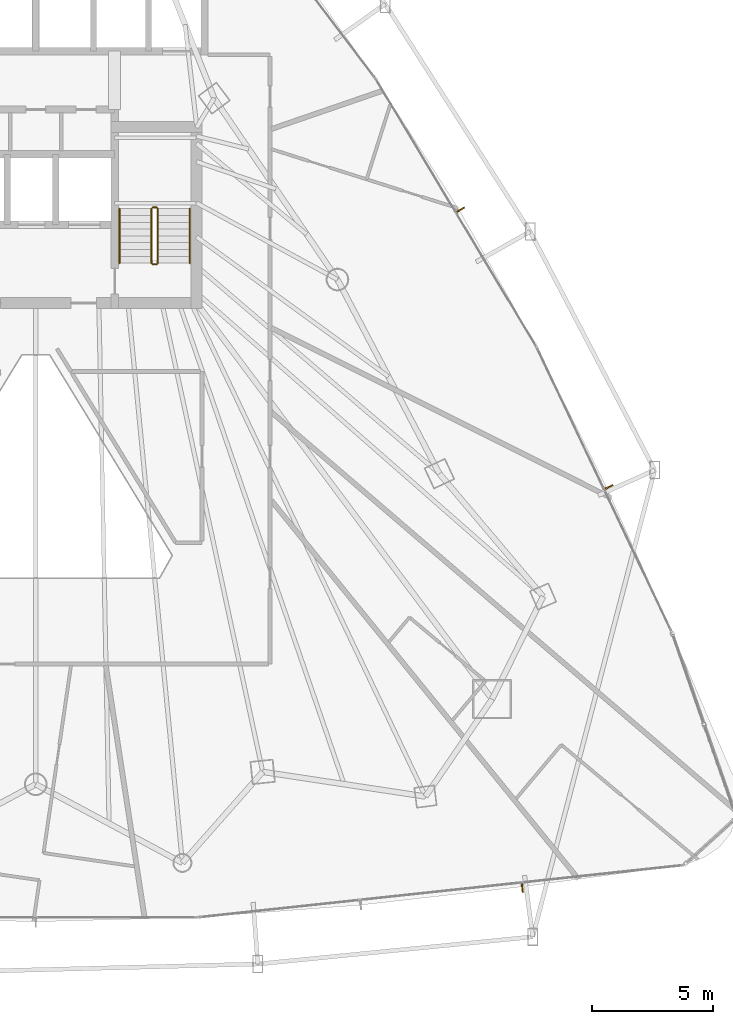
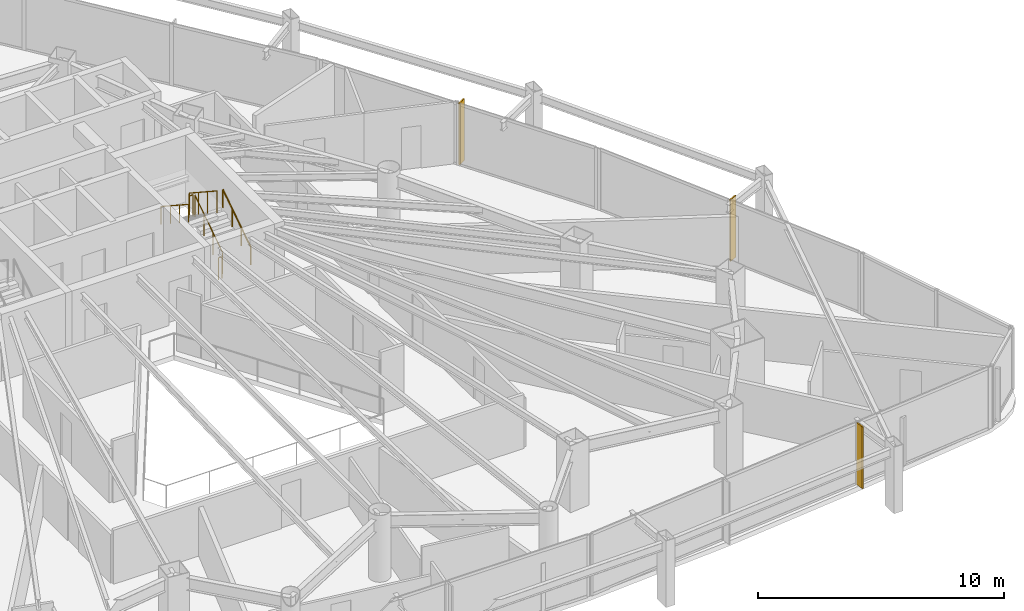
# One storey, part 34 of 35: 6 railings, 3 shading devices.
"""IFC4 building model written with IfcOpenShell, lengths in metres."""

from ifc_helpers import new_model, si_unit, direction, frame, origin, origin_2d, place, context, subcontext, project, spatial, rectangle, circle, extrude, material, layer, layer_set, type_object, element, save


model = new_model("IFC4")

# Units and contexts
model_context = context("Model", 3, precision=1e-05, world=origin(), true_north=direction((0.0, 1.0)))
body_context = subcontext(model_context, "Body", "Model", "MODEL_VIEW")
ifc_project = project(units=[si_unit("LENGTHUNIT", "METRE"), si_unit("AREAUNIT", "SQUARE_METRE"), si_unit("VOLUMEUNIT", "CUBIC_METRE"), si_unit("PLANEANGLEUNIT", "RADIAN"), si_unit("MASSUNIT", "GRAM", prefix="KILO")], contexts=[model_context])

# Site, building, storey
site_placement = place(None, origin())
site = spatial("IfcSite", under=ifc_project, at=site_placement, CompositionType="ELEMENT")
building_placement = place(site_placement, origin())
building = spatial("IfcBuilding", under=site, at=building_placement, Name="Orvanel Arch Residences", CompositionType="ELEMENT")
storey_placement = place(building_placement, frame((0.0, 0.0, 36.800048828125)))
storey = spatial("IfcBuildingStorey", under=building, at=storey_placement, Name="L09", CompositionType="ELEMENT", Elevation=36.800048828125)

# Shading devices
ifc_material_1 = material(Name="Bronze-anodised aluminium AA6063-T6", Category="aluminium")
ifc_layer = layer(ifc_material_1, 0.06005859375)
ifc_layer_set = layer_set([ifc_layer], Name="Bronze-anodised aluminium AA6063-T6")
shading_device_type = type_object("IfcShadingDeviceType", Name="FIN-BRZ-380", PredefinedType="USERDEFINED", material=ifc_layer_set)
for number, where, z_axis, x_axis, name in (
    (1, (53.050048828125, 2.575927734375, 0.0), (0.0, 0.0, 1.0), (0.106264071336, -0.994337944133, 0.0), "L09 Anodised Bronze Mullion FIN 02"),
    (2, (56.616943359375, 19.090087890625, 0.0), (0.0, 0.0, 1.0), (0.903335292863, 0.428935133403, 0.0), "L09 Anodised Bronze Mullion FIN 01"),
    (3, (50.5009765625, 30.514892578125, 0.0), (0.0, 0.0, 1.0), (0.857167300702, 0.51503807491, 0.0), "L09 Anodised Bronze Mullion FIN 01"),
):
    element("IfcShadingDevice", number, at=place(storey_placement, frame(where, z_axis=z_axis, x_axis=x_axis)), inside=storey, type_object=shading_device_type, Name=name, ObjectType="FIN", PredefinedType="USERDEFINED", context=body_context, shape_type="SweptSolid", body=[
        extrude(rectangle(XDim=0.3798828125, YDim=0.06005859375, at=origin_2d()), origin(), (0.0, 0.0, 1.0), 3.06005859375),
    ])

# Railings
ifc_material_2 = material(Name="Structural steel AS/NZS 1163 C350L0 (Grade 350)", Category="steel")
railing_type_1 = type_object("IfcRailingType", Name="RL-STAIR-GUARD", PredefinedType="GUARDRAIL", material=ifc_material_2)
railing_1_placement = place(storey_placement, frame((38.030029296875, 28.320068359375, 0.183349609375)))
element("IfcRailing", 4, at=railing_1_placement, inside=storey, type_object=railing_type_1, Name="L09 ST-2 stair guard 1", PredefinedType="GUARDRAIL", context=body_context, shape_type="SweptSolid", body=[
    extrude(circle(Radius=0.02392578125, at=origin_2d()), frame((0.0, 0.001220703125, 1.076904296875), z_axis=(0.0, 0.836636935527, 0.547757827979), x_axis=(-1.0, 0.0, 0.0)), (0.0, 0.0, 1.0), 2.67431640625),
    extrude(circle(Radius=0.02099609375, at=origin_2d()), origin(), (0.0, 0.0, 1.0), 1.050048828125),
    extrude(circle(Radius=0.02099609375, at=origin_2d()), frame((0.0, 0.74658203125, 0.48876953125)), (0.0, 0.0, 1.0), 1.050048828125),
    extrude(circle(Radius=0.02099609375, at=origin_2d()), frame((0.0, 1.493408203125, 0.977783203125)), (0.0, 0.0, 1.0), 1.050048828125),
    extrude(circle(Radius=0.02099609375, at=origin_2d()), frame((0.0, 2.239990234375, 1.466552734375)), (0.0, 0.0, 1.0), 1.050048828125),
])
railing_2_placement = place(storey_placement, frame((37.97998046875, 30.610107421875, 1.64990234375)))
element("IfcRailing", 5, at=railing_2_placement, inside=storey, type_object=railing_type_1, Name="L09 ST-2 stair guard 2", PredefinedType="GUARDRAIL", context=body_context, shape_type="SweptSolid", body=[
    extrude(circle(Radius=0.02392578125, at=origin_2d()), frame((-0.00146484375, 0.0, 1.076171875), z_axis=(-1.0, 0.0, 0.0), x_axis=(0.0, -1.0, 0.0)), (0.0, 0.0, 1.0), 0.156982421875),
    extrude(circle(Radius=0.02099609375, at=origin_2d()), origin(), (0.0, 0.0, 1.0), 1.050048828125),
    extrude(circle(Radius=0.02099609375, at=origin_2d()), frame((-0.159912109375, 0.0, 0.0)), (0.0, 0.0, 1.0), 1.050048828125),
])
railing_3_placement = place(storey_placement, frame((37.77001953125, 30.56005859375, 1.833251953125)))
element("IfcRailing", 6, at=railing_3_placement, inside=storey, type_object=railing_type_1, Name="L09 ST-2 stair guard 3", PredefinedType="GUARDRAIL", context=body_context, shape_type="SweptSolid", body=[
    extrude(circle(Radius=0.02392578125, at=origin_2d()), frame((0.0, -0.001220703125, 1.076904296875), z_axis=(0.0, -0.836595146698, 0.547821650285), x_axis=(1.0, 0.0, 0.0)), (0.0, 0.0, 1.0), 2.674560546875),
    extrude(circle(Radius=0.02099609375, at=origin_2d()), origin(), (0.0, 0.0, 1.0), 1.050048828125),
    extrude(circle(Radius=0.02099609375, at=origin_2d()), frame((0.0, -0.74658203125, 0.489013671875)), (0.0, 0.0, 1.0), 1.050048828125),
    extrude(circle(Radius=0.02099609375, at=origin_2d()), frame((0.0, -1.493408203125, 0.977783203125)), (0.0, 0.0, 1.0), 1.050048828125),
    extrude(circle(Radius=0.02099609375, at=origin_2d()), frame((0.0, -2.239990234375, 1.466796875)), (0.0, 0.0, 1.0), 1.050048828125),
])
railing_4_placement = place(storey_placement, frame((37.97998046875, 28.27001953125, 0.0)))
element("IfcRailing", 7, at=railing_4_placement, inside=storey, type_object=railing_type_1, Name="L09 ST-2 stair guard 4", PredefinedType="GUARDRAIL", context=body_context, shape_type="SweptSolid", body=[
    extrude(circle(Radius=0.02392578125, at=origin_2d()), frame((-0.00146484375, 0.0, 1.076171875), z_axis=(-1.0, 0.0, 0.0), x_axis=(0.0, -1.0, 0.0)), (0.0, 0.0, 1.0), 0.156982421875),
    extrude(circle(Radius=0.02099609375, at=origin_2d()), origin(), (0.0, 0.0, 1.0), 1.050048828125),
    extrude(circle(Radius=0.02099609375, at=origin_2d()), frame((-0.159912109375, 0.0, 0.0)), (0.0, 0.0, 1.0), 1.050048828125),
])
railing_type_2 = type_object("IfcRailingType", Name="RL-STAIR-HAND", PredefinedType="HANDRAIL", material=ifc_material_2)
railing_5_placement = place(storey_placement, frame((39.35009765625, 28.320068359375, 0.183349609375)))
element("IfcRailing", 8, at=railing_5_placement, inside=storey, type_object=railing_type_2, Name="L09 ST-2 stair handrail 1", PredefinedType="HANDRAIL", context=body_context, shape_type="SweptSolid", body=[
    extrude(circle(Radius=0.02392578125, at=origin_2d()), frame((0.0, 0.001220703125, 0.876708984375), z_axis=(0.0, 0.836636935527, 0.547757827979), x_axis=(-1.0, 0.0, 0.0)), (0.0, 0.0, 1.0), 2.67431640625),
    extrude(circle(Radius=0.02099609375, at=origin_2d()), origin(), (0.0, 0.0, 1.0), 0.849853515625),
    extrude(circle(Radius=0.02099609375, at=origin_2d()), frame((0.0, 0.74658203125, 0.48876953125)), (0.0, 0.0, 1.0), 0.849853515625),
    extrude(circle(Radius=0.02099609375, at=origin_2d()), frame((0.0, 1.493408203125, 0.977783203125)), (0.0, 0.0, 1.0), 0.849853515625),
    extrude(circle(Radius=0.02099609375, at=origin_2d()), frame((0.0, 2.239990234375, 1.466552734375)), (0.0, 0.0, 1.0), 0.849853515625),
])
railing_6_placement = place(storey_placement, frame((36.449951171875, 30.56005859375, 1.833251953125)))
element("IfcRailing", 9, at=railing_6_placement, inside=storey, type_object=railing_type_2, Name="L09 ST-2 stair handrail 2", PredefinedType="HANDRAIL", context=body_context, shape_type="SweptSolid", body=[
    extrude(circle(Radius=0.02392578125, at=origin_2d()), frame((0.0, -0.001220703125, 0.876708984375), z_axis=(0.0, -0.836595146698, 0.547821650285), x_axis=(1.0, 0.0, 0.0)), (0.0, 0.0, 1.0), 2.674560546875),
    extrude(circle(Radius=0.02099609375, at=origin_2d()), origin(), (0.0, 0.0, 1.0), 0.849853515625),
    extrude(circle(Radius=0.02099609375, at=origin_2d()), frame((0.0, -0.74658203125, 0.489013671875)), (0.0, 0.0, 1.0), 0.849853515625),
    extrude(circle(Radius=0.02099609375, at=origin_2d()), frame((0.0, -1.493408203125, 0.977783203125)), (0.0, 0.0, 1.0), 0.849853515625),
    extrude(circle(Radius=0.02099609375, at=origin_2d()), frame((0.0, -2.239990234375, 1.466796875)), (0.0, 0.0, 1.0), 0.849853515625),
])

save(model, "model.ifc")
